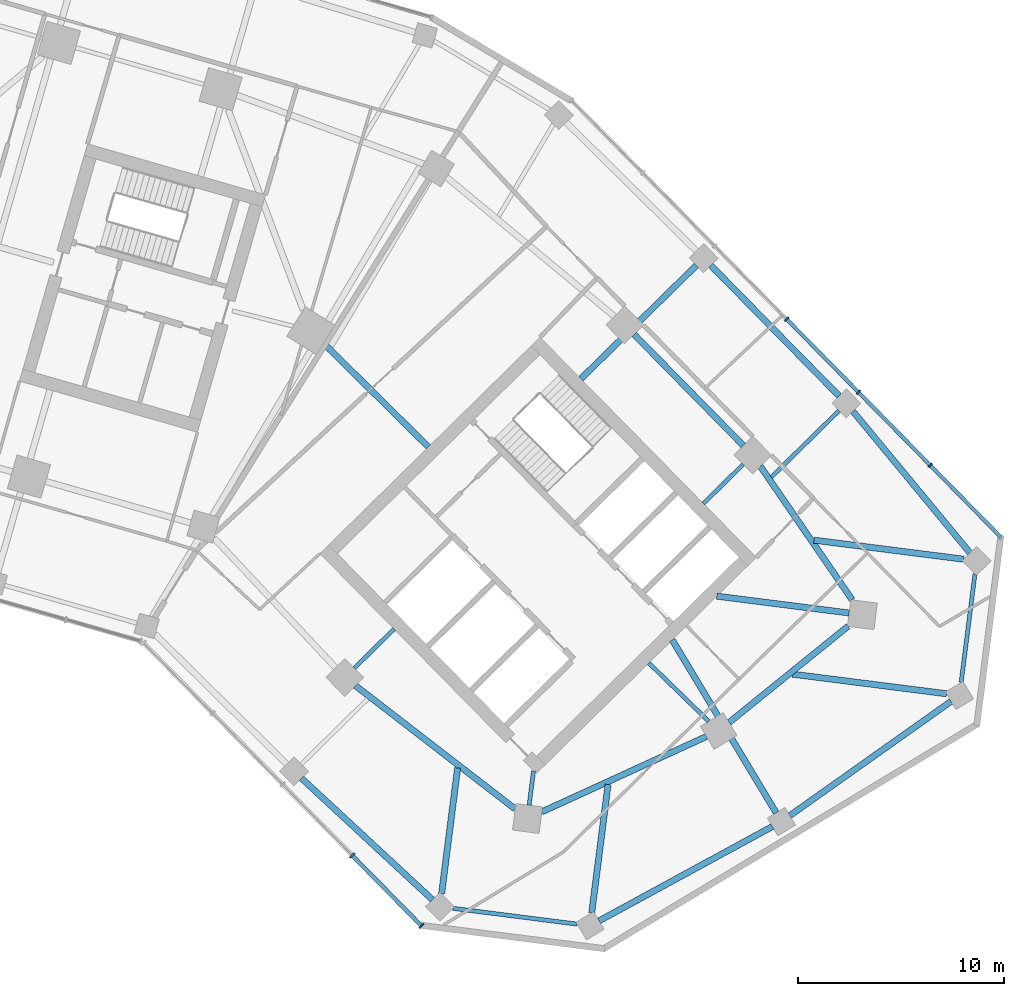
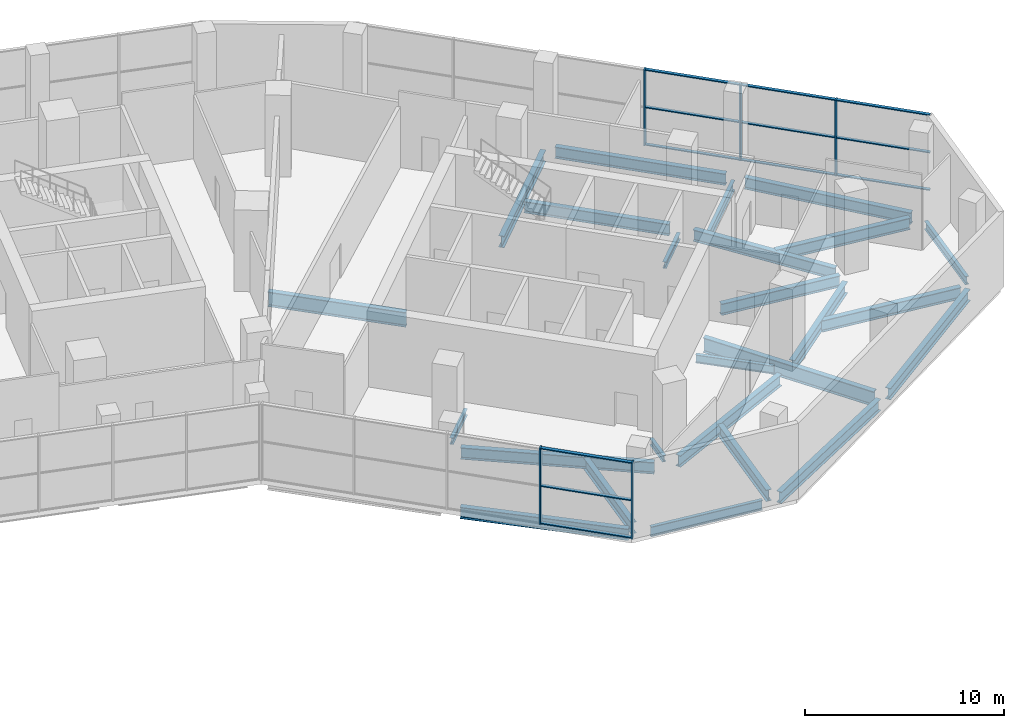
# One storey, part 6 of 18: 25 beams, 17 members, 2 elements without a shape of their own.
"""IFC4 building model written with IfcOpenShell, lengths in metres."""

from ifc_helpers import new_model, si_unit, direction, frame, origin, origin_2d, place, context, subcontext, project, spatial, rectangle, i_section, extrude, material, material_profile, profile_set, type_object, element, aggregate, save


model = new_model("IFC4")

# Units and contexts
model_context = context("Model", 3, precision=1e-05, world=origin(), true_north=direction((0.0, 1.0)))
body_context = subcontext(model_context, "Body", "Model", "MODEL_VIEW")
ifc_project = project(units=[si_unit("LENGTHUNIT", "METRE"), si_unit("AREAUNIT", "SQUARE_METRE"), si_unit("VOLUMEUNIT", "CUBIC_METRE"), si_unit("PLANEANGLEUNIT", "RADIAN"), si_unit("MASSUNIT", "GRAM", prefix="KILO")], contexts=[model_context])

# Site, building, storey
site_placement = place(None, origin())
site = spatial("IfcSite", under=ifc_project, at=site_placement, CompositionType="ELEMENT")
building_placement = place(site_placement, origin())
building = spatial("IfcBuilding", under=site, at=building_placement, Name="Binnacle Exchange Tower", CompositionType="ELEMENT")
storey_placement = place(building_placement, frame((0.0, 0.0, 6.5)))
storey = spatial("IfcBuildingStorey", under=building, at=storey_placement, Name="L01", CompositionType="ELEMENT", Elevation=6.5)

# Curtain wall, members
ifc_material_1 = material(Name="Bronze anodised aluminium frame", Category="aluminium")
curtain_wall_type_1 = type_object("IfcCurtainWallType", Name="External wall - curtain wall waterfront lobby", PredefinedType="NOTDEFINED", material=ifc_material_1)
curtain_wall_1_placement = place(storey_placement, origin())
curtain_wall_1 = element("IfcCurtainWall", 1, at=curtain_wall_1_placement, inside=storey, type_object=curtain_wall_type_1, Name="External wall curtain wall CW1-P08 L01", PredefinedType="NOTDEFINED")
ifc_material_profile_1 = material_profile(ifc_material_1, rectangle(XDim=0.300048828125, YDim=0.080078125, at=origin_2d()), Name="AL 80x300")
ifc_profile_set_1 = profile_set([ifc_material_profile_1], Name="Bronze anodised aluminium frame")
member_type_1 = type_object("IfcMemberType", Name="CW1 MULLION 80x300", PredefinedType="MULLION", material=ifc_profile_set_1)
member_1_placement = place(storey_placement, frame((33.002685546875, 25.872802734375, 0.0), z_axis=(0.0, 0.0, 1.0), x_axis=(0.71325036061, 0.700909354403, 0.0)))
member_1 = element("IfcMember", 2, at=member_1_placement, type_object=member_type_1, Name="CW1-P08 mullion 4", PredefinedType="MULLION", context=body_context, shape_type="SweptSolid", body=[
    extrude(rectangle(XDim=0.300048828125, YDim=0.080078125, at=origin_2d()), origin(), (0.0, 0.0, 1.0), 4.64990234375),
])
member_2_placement = place(storey_placement, frame((36.370361328125, 22.44580078125, 0.0), z_axis=(0.0, 0.0, 1.0), x_axis=(0.71325036061, 0.700909354403, 0.0)))
member_2 = element("IfcMember", 3, at=member_2_placement, type_object=member_type_1, Name="CW1-P08 mullion 5", PredefinedType="MULLION", context=body_context, shape_type="SweptSolid", body=[
    extrude(rectangle(XDim=0.300048828125, YDim=0.080078125, at=origin_2d()), origin(), (0.0, 0.0, 1.0), 4.64990234375),
])
ifc_material_profile_2 = material_profile(ifc_material_1, rectangle(XDim=0.199951171875, YDim=0.06005859375, at=origin_2d()), Name="AL 200x60")
ifc_profile_set_2 = profile_set([ifc_material_profile_2], Name="Bronze anodised aluminium frame")
member_type_2 = type_object("IfcMemberType", Name="CW1 TRANSOM 60x200", PredefinedType="USERDEFINED", material=ifc_profile_set_2)
member_3_placement = place(storey_placement, frame((33.03076171875, 25.84423828125, 0.030029296875), z_axis=(0.700931073627, -0.713229016533, 0.0), x_axis=(0.713229016533, 0.700931073627, 0.0)))
member_3 = element("IfcMember", 4, at=member_3_placement, type_object=member_type_2, Name="CW1-P08 transom 4.1", ObjectType="TRANSOM", PredefinedType="USERDEFINED", context=body_context, shape_type="SweptSolid", body=[
    extrude(rectangle(XDim=0.199951171875, YDim=0.06005859375, at=origin_2d()), origin(), (0.0, 0.0, 1.0), 4.724853515625),
])
member_4_placement = place(storey_placement, frame((33.03076171875, 25.84423828125, 2.324951171875), z_axis=(0.700931073627, -0.713229016533, 0.0), x_axis=(0.713229016533, 0.700931073627, 0.0)))
member_4 = element("IfcMember", 5, at=member_4_placement, type_object=member_type_2, Name="CW1-P08 transom 4.2", ObjectType="TRANSOM", PredefinedType="USERDEFINED", context=body_context, shape_type="SweptSolid", body=[
    extrude(rectangle(XDim=0.199951171875, YDim=0.06005859375, at=origin_2d()), origin(), (0.0, 0.0, 1.0), 4.724853515625),
])
member_5_placement = place(storey_placement, frame((33.03076171875, 25.84423828125, 4.6201171875), z_axis=(0.700931073627, -0.713229016533, 0.0), x_axis=(0.713229016533, 0.700931073627, 0.0)))
member_5 = element("IfcMember", 6, at=member_5_placement, type_object=member_type_2, Name="CW1-P08 transom 4.3", ObjectType="TRANSOM", PredefinedType="USERDEFINED", context=body_context, shape_type="SweptSolid", body=[
    extrude(rectangle(XDim=0.199951171875, YDim=0.06005859375, at=origin_2d()), origin(), (0.0, 0.0, 1.0), 4.724853515625),
])
aggregate(curtain_wall_1, [member_1, member_2, member_3, member_4, member_5])

curtain_wall_type_2 = type_object("IfcCurtainWallType", Name="External wall - curtain wall north entrance", PredefinedType="NOTDEFINED", material=ifc_material_1)
curtain_wall_2_placement = place(storey_placement, origin())
curtain_wall_2 = element("IfcCurtainWall", 7, at=curtain_wall_2_placement, inside=storey, type_object=curtain_wall_type_2, Name="External wall curtain wall CW2-P12 L01", PredefinedType="NOTDEFINED")
ifc_material_profile_3 = material_profile(ifc_material_1, rectangle(XDim=0.25, YDim=0.080078125, at=origin_2d()), Name="AL 80x250")
ifc_profile_set_3 = profile_set([ifc_material_profile_3], Name="Bronze anodised aluminium frame")
member_type_3 = type_object("IfcMemberType", Name="CW2 MULLION 80x250", PredefinedType="MULLION", material=ifc_profile_set_3)
member_6_placement = place(storey_placement, frame((61.101318359375, 44.841796875, 0.0), z_axis=(0.0, 0.0, 1.0), x_axis=(-0.713250360623, -0.70090935439, 0.0)))
member_6 = element("IfcMember", 8, at=member_6_placement, type_object=member_type_3, Name="CW2-P12 mullion 2", PredefinedType="MULLION", context=body_context, shape_type="SweptSolid", body=[
    extrude(rectangle(XDim=0.25, YDim=0.080078125, at=origin_2d()), origin(), (0.0, 0.0, 1.0), 4.64990234375),
])
member_7_placement = place(storey_placement, frame((57.609130859375, 48.3955078125, 0.0), z_axis=(0.0, 0.0, 1.0), x_axis=(-0.713250360623, -0.70090935439, 0.0)))
member_7 = element("IfcMember", 9, at=member_7_placement, type_object=member_type_3, Name="CW2-P12 mullion 3", PredefinedType="MULLION", context=body_context, shape_type="SweptSolid", body=[
    extrude(rectangle(XDim=0.25, YDim=0.080078125, at=origin_2d()), origin(), (0.0, 0.0, 1.0), 4.64990234375),
])
member_8_placement = place(storey_placement, frame((54.11669921875, 51.949462890625, 0.0), z_axis=(0.0, 0.0, 1.0), x_axis=(-0.713250360623, -0.70090935439, 0.0)))
member_8 = element("IfcMember", 10, at=member_8_placement, type_object=member_type_3, Name="CW2-P12 mullion 4", PredefinedType="MULLION", context=body_context, shape_type="SweptSolid", body=[
    extrude(rectangle(XDim=0.25, YDim=0.080078125, at=origin_2d()), origin(), (0.0, 0.0, 1.0), 4.64990234375),
])
ifc_material_profile_4 = material_profile(ifc_material_1, rectangle(XDim=0.179931640625, YDim=0.06005859375, at=origin_2d()), Name="AL 180x60")
ifc_profile_set_4 = profile_set([ifc_material_profile_4], Name="Bronze anodised aluminium frame")
member_type_4 = type_object("IfcMemberType", Name="CW2 TRANSOM 60x180", PredefinedType="USERDEFINED", material=ifc_profile_set_4)
member_9_placement = place(storey_placement, frame((64.53759765625, 41.344970703125, 0.030029296875), z_axis=(-0.700904224311, 0.713255401903, 0.0), x_axis=(-0.713255401903, -0.700904224311, 0.0)))
member_9 = element("IfcMember", 11, at=member_9_placement, type_object=member_type_4, Name="CW2-P12 transom 1.1", ObjectType="TRANSOM", PredefinedType="USERDEFINED", context=body_context, shape_type="SweptSolid", body=[
    extrude(rectangle(XDim=0.179931640625, YDim=0.06005859375, at=origin_2d()), origin(), (0.0, 0.0, 1.0), 4.862548828125),
])
member_10_placement = place(storey_placement, frame((64.53759765625, 41.344970703125, 2.324951171875), z_axis=(-0.700904224311, 0.713255401903, 0.0), x_axis=(-0.713255401903, -0.700904224311, 0.0)))
member_10 = element("IfcMember", 12, at=member_10_placement, type_object=member_type_4, Name="CW2-P12 transom 1.2", ObjectType="TRANSOM", PredefinedType="USERDEFINED", context=body_context, shape_type="SweptSolid", body=[
    extrude(rectangle(XDim=0.179931640625, YDim=0.06005859375, at=origin_2d()), origin(), (0.0, 0.0, 1.0), 4.862548828125),
])
member_11_placement = place(storey_placement, frame((64.53759765625, 41.344970703125, 4.6201171875), z_axis=(-0.700904224311, 0.713255401903, 0.0), x_axis=(-0.713255401903, -0.700904224311, 0.0)))
member_11 = element("IfcMember", 13, at=member_11_placement, type_object=member_type_4, Name="CW2-P12 transom 1.3", ObjectType="TRANSOM", PredefinedType="USERDEFINED", context=body_context, shape_type="SweptSolid", body=[
    extrude(rectangle(XDim=0.179931640625, YDim=0.06005859375, at=origin_2d()), origin(), (0.0, 0.0, 1.0), 4.862548828125),
])
member_12_placement = place(storey_placement, frame((61.0732421875, 44.870361328125, 0.030029296875), z_axis=(-0.700904445458, 0.713255184585, 0.0), x_axis=(-0.713255184585, -0.700904445458, 0.0)))
member_12 = element("IfcMember", 14, at=member_12_placement, type_object=member_type_4, Name="CW2-P12 transom 2.1", ObjectType="TRANSOM", PredefinedType="USERDEFINED", context=body_context, shape_type="SweptSolid", body=[
    extrude(rectangle(XDim=0.179931640625, YDim=0.06005859375, at=origin_2d()), origin(), (0.0, 0.0, 1.0), 4.90234375),
])
member_13_placement = place(storey_placement, frame((61.0732421875, 44.870361328125, 2.324951171875), z_axis=(-0.700904445458, 0.713255184585, 0.0), x_axis=(-0.713255184585, -0.700904445458, 0.0)))
member_13 = element("IfcMember", 15, at=member_13_placement, type_object=member_type_4, Name="CW2-P12 transom 2.2", ObjectType="TRANSOM", PredefinedType="USERDEFINED", context=body_context, shape_type="SweptSolid", body=[
    extrude(rectangle(XDim=0.179931640625, YDim=0.06005859375, at=origin_2d()), origin(), (0.0, 0.0, 1.0), 4.90234375),
])
member_14_placement = place(storey_placement, frame((61.0732421875, 44.870361328125, 4.6201171875), z_axis=(-0.700904445458, 0.713255184585, 0.0), x_axis=(-0.713255184585, -0.700904445458, 0.0)))
member_14 = element("IfcMember", 16, at=member_14_placement, type_object=member_type_4, Name="CW2-P12 transom 2.3", ObjectType="TRANSOM", PredefinedType="USERDEFINED", context=body_context, shape_type="SweptSolid", body=[
    extrude(rectangle(XDim=0.179931640625, YDim=0.06005859375, at=origin_2d()), origin(), (0.0, 0.0, 1.0), 4.90234375),
])
member_15_placement = place(storey_placement, frame((57.5810546875, 48.424072265625, 0.030029296875), z_axis=(-0.700904884139, 0.7132547535, 0.0), x_axis=(-0.7132547535, -0.700904884139, 0.0)))
member_15 = element("IfcMember", 17, at=member_15_placement, type_object=member_type_4, Name="CW2-P12 transom 3.1", ObjectType="TRANSOM", PredefinedType="USERDEFINED", context=body_context, shape_type="SweptSolid", body=[
    extrude(rectangle(XDim=0.179931640625, YDim=0.06005859375, at=origin_2d()), origin(), (0.0, 0.0, 1.0), 4.902587890625),
])
member_16_placement = place(storey_placement, frame((57.5810546875, 48.424072265625, 2.324951171875), z_axis=(-0.700904884139, 0.7132547535, 0.0), x_axis=(-0.7132547535, -0.700904884139, 0.0)))
member_16 = element("IfcMember", 18, at=member_16_placement, type_object=member_type_4, Name="CW2-P12 transom 3.2", ObjectType="TRANSOM", PredefinedType="USERDEFINED", context=body_context, shape_type="SweptSolid", body=[
    extrude(rectangle(XDim=0.179931640625, YDim=0.06005859375, at=origin_2d()), origin(), (0.0, 0.0, 1.0), 4.902587890625),
])
member_17_placement = place(storey_placement, frame((57.5810546875, 48.424072265625, 4.6201171875), z_axis=(-0.700904884139, 0.7132547535, 0.0), x_axis=(-0.7132547535, -0.700904884139, 0.0)))
member_17 = element("IfcMember", 19, at=member_17_placement, type_object=member_type_4, Name="CW2-P12 transom 3.3", ObjectType="TRANSOM", PredefinedType="USERDEFINED", context=body_context, shape_type="SweptSolid", body=[
    extrude(rectangle(XDim=0.179931640625, YDim=0.06005859375, at=origin_2d()), origin(), (0.0, 0.0, 1.0), 4.902587890625),
])
aggregate(curtain_wall_2, [member_6, member_7, member_8, member_9, member_10, member_11, member_12, member_13, member_14, member_15, member_16, member_17])

# Beams
ifc_material_2 = material(Name="Steel S355 (SHN355)", Category="steel")
ifc_material_profile_5 = material_profile(ifc_material_2, i_section(OverallWidth=0.200927734375, OverallDepth=0.506103515625, WebThickness=0.010986328125, FlangeThickness=0.01904296875, FilletRadius=0.02001953125, at=origin_2d()), Name="H 506x201x11x19")
ifc_profile_set_5 = profile_set([ifc_material_profile_5], Name="Steel S355 (SHN355)")
beam_type_1 = type_object("IfcBeamType", Name="Edge girder H 506x201x11x19 Steel S355 (SHN355)", PredefinedType="SPANDREL", material=ifc_profile_set_5)
beam_1_placement = place(storey_placement, frame((63.271728515625, 39.56591796875, -0.60302734375), z_axis=(-0.126220609822, -0.992002196397, 0.0), x_axis=(0.992002196397, -0.126220609822, 0.0)))
element("IfcBeam", 20, at=beam_1_placement, inside=storey, type_object=beam_type_1, Name="S:BM:edge:L01:075", PredefinedType="SPANDREL", context=body_context, shape_type="SweptSolid", body=[
    extrude(i_section(OverallWidth=0.200927734375, OverallDepth=0.506103515625, WebThickness=0.010986328125, FlangeThickness=0.01904296875, FilletRadius=0.02001953125, at=origin_2d()), origin(), (0.0, 0.0, 1.0), 5.319091796875),
])
ifc_material_profile_6 = material_profile(ifc_material_2, i_section(OverallWidth=0.200927734375, OverallDepth=0.60595703125, WebThickness=0.011962890625, FlangeThickness=0.02001953125, FilletRadius=0.02197265625, at=origin_2d()), Name="H 606x201x12x20")
ifc_profile_set_6 = profile_set([ifc_material_profile_6], Name="Steel S355 (SHN355)")
beam_type_2 = type_object("IfcBeamType", Name="Edge girder H 606x201x12x20 Steel S355 (SHN355)", PredefinedType="SPANDREL", material=ifc_profile_set_6)
beam_2_placement = place(storey_placement, frame((43.931884765625, 22.540283203125, -0.653076171875), z_axis=(-0.992003760978, 0.126208312743, 0.0), x_axis=(-0.126208312743, -0.992003760978, 0.0)))
element("IfcBeam", 21, at=beam_2_placement, inside=storey, type_object=beam_type_2, Name="S:BM:edge:L01:066", PredefinedType="SPANDREL", context=body_context, shape_type="SweptSolid", body=[
    extrude(i_section(OverallWidth=0.200927734375, OverallDepth=0.60595703125, WebThickness=0.011962890625, FlangeThickness=0.02001953125, FilletRadius=0.02197265625, at=origin_2d()), origin(), (0.0, 0.0, 1.0), 6.081787109375),
])
ifc_material_profile_7 = material_profile(ifc_material_2, i_section(OverallWidth=0.300048828125, OverallDepth=0.699951171875, WebThickness=0.012939453125, FlangeThickness=0.02392578125, FilletRadius=0.028076171875, at=origin_2d()), Name="H 700x300x13x24")
ifc_profile_set_7 = profile_set([ifc_material_profile_7], Name="Steel S355 (SHN355)")
beam_type_3 = type_object("IfcBeamType", Name="Edge girder H 700x300x13x24 Steel S355 (SHN355)", PredefinedType="SPANDREL", material=ifc_profile_set_7)
beam_3_placement = place(storey_placement, frame((36.89990234375, 23.728515625, -0.699951171875), z_axis=(-0.733314595009, 0.679889479803, 0.0), x_axis=(-0.679889479803, -0.733314595009, 0.0)))
element("IfcBeam", 22, at=beam_3_placement, inside=storey, type_object=beam_type_3, Name="S:BM:edge:L01:062", PredefinedType="SPANDREL", context=body_context, shape_type="SweptSolid", body=[
    extrude(i_section(OverallWidth=0.300048828125, OverallDepth=0.699951171875, WebThickness=0.012939453125, FlangeThickness=0.02392578125, FilletRadius=0.028076171875, at=origin_2d()), origin(), (0.0, 0.0, 1.0), 8.67333984375),
])
beam_4_placement = place(storey_placement, frame((42.215576171875, 27.99365234375, -0.699951171875), z_axis=(0.909179052108, 0.416405392866, 0.0), x_axis=(-0.416405392866, 0.909179052108, 0.0)))
element("IfcBeam", 23, at=beam_4_placement, inside=storey, type_object=beam_type_3, Name="S:BM:edge:L01:064", PredefinedType="SPANDREL", context=body_context, shape_type="SweptSolid", body=[
    extrude(i_section(OverallWidth=0.300048828125, OverallDepth=0.699951171875, WebThickness=0.012939453125, FlangeThickness=0.02392578125, FilletRadius=0.028076171875, at=origin_2d()), origin(), (0.0, 0.0, 1.0), 8.801025390625),
])
beam_5_placement = place(storey_placement, frame((50.436279296875, 54.553466796875, -0.699951171875), z_axis=(0.700891088092, -0.713268310408, 0.0), x_axis=(0.713268310408, 0.700891088092, 0.0)))
element("IfcBeam", 24, at=beam_5_placement, inside=storey, type_object=beam_type_3, Name="S:BM:edge:L01:068", PredefinedType="SPANDREL", context=body_context, shape_type="SweptSolid", body=[
    extrude(i_section(OverallWidth=0.300048828125, OverallDepth=0.699951171875, WebThickness=0.012939453125, FlangeThickness=0.02392578125, FilletRadius=0.028076171875, at=origin_2d()), origin(), (0.0, 0.0, 1.0), 8.89599609375),
])
beam_6_placement = place(storey_placement, frame((52.010986328125, 45.802978515625, -0.699951171875), z_axis=(-0.700905226564, 0.713254417004, 0.0), x_axis=(-0.713254417004, -0.700905226564, 0.0)))
element("IfcBeam", 25, at=beam_6_placement, inside=storey, type_object=beam_type_3, Name="S:BM:edge:L01:070", PredefinedType="SPANDREL", context=body_context, shape_type="SweptSolid", body=[
    extrude(i_section(OverallWidth=0.300048828125, OverallDepth=0.699951171875, WebThickness=0.012939453125, FlangeThickness=0.02392578125, FilletRadius=0.028076171875, at=origin_2d()), origin(), (0.0, 0.0, 1.0), 7.57177734375),
])
beam_7_placement = place(storey_placement, frame((53.42431640625, 27.28369140625, -0.699951171875), z_axis=(-0.878284521439, -0.478138368468, 0.0), x_axis=(0.478138368468, -0.878284521439, 0.0)))
element("IfcBeam", 26, at=beam_7_placement, inside=storey, type_object=beam_type_3, Name="S:BM:edge:L01:071", PredefinedType="SPANDREL", context=body_context, shape_type="SweptSolid", body=[
    extrude(i_section(OverallWidth=0.300048828125, OverallDepth=0.699951171875, WebThickness=0.012939453125, FlangeThickness=0.02392578125, FilletRadius=0.028076171875, at=origin_2d()), origin(), (0.0, 0.0, 1.0), 9.588134765625),
])
beam_8_placement = place(storey_placement, frame((57.341796875, 47.46484375, -0.699951171875), z_axis=(0.63729683622, -0.770618415653, 0.0), x_axis=(0.770618415653, 0.63729683622, 0.0)))
element("IfcBeam", 27, at=beam_8_placement, inside=storey, type_object=beam_type_3, Name="S:BM:edge:L01:073", PredefinedType="SPANDREL", context=body_context, shape_type="SweptSolid", body=[
    extrude(i_section(OverallWidth=0.300048828125, OverallDepth=0.699951171875, WebThickness=0.012939453125, FlangeThickness=0.02392578125, FilletRadius=0.028076171875, at=origin_2d()), origin(), (0.0, 0.0, 1.0), 8.928955078125),
])
beam_9_placement = place(storey_placement, frame((62.111083984375, 33.36767578125, -0.699951171875), z_axis=(-0.815901600123, -0.578190780726, 0.0), x_axis=(0.578190780726, -0.815901600123, 0.0)))
element("IfcBeam", 28, at=beam_9_placement, inside=storey, type_object=beam_type_3, Name="S:BM:edge:L01:074", PredefinedType="SPANDREL", context=body_context, shape_type="SweptSolid", body=[
    extrude(i_section(OverallWidth=0.300048828125, OverallDepth=0.699951171875, WebThickness=0.012939453125, FlangeThickness=0.02392578125, FilletRadius=0.028076171875, at=origin_2d()), origin(), (0.0, 0.0, 1.0), 9.60693359375),
])
ifc_material_profile_8 = material_profile(ifc_material_2, i_section(OverallWidth=0.302001953125, OverallDepth=0.7080078125, WebThickness=0.014892578125, FlangeThickness=0.028076171875, FilletRadius=0.028076171875, at=origin_2d()), Name="H 708x302x15x28")
ifc_profile_set_8 = profile_set([ifc_material_profile_8], Name="Steel S355 (SHN355)")
beam_type_4 = type_object("IfcBeamType", Name="Edge girder H 708x302x15x28 Steel S355 (SHN355)", PredefinedType="SPANDREL", material=ifc_profile_set_8)
beam_10_placement = place(storey_placement, frame((33.160400390625, 34.12890625, -0.7041015625), z_axis=(0.791533490776, -0.611125791454, 0.0), x_axis=(0.611125791454, 0.791533490776, 0.0)))
element("IfcBeam", 29, at=beam_10_placement, inside=storey, type_object=beam_type_4, Name="S:BM:edge:L01:060", PredefinedType="SPANDREL", context=body_context, shape_type="SweptSolid", body=[
    extrude(i_section(OverallWidth=0.302001953125, OverallDepth=0.7080078125, WebThickness=0.014892578125, FlangeThickness=0.028076171875, FilletRadius=0.028076171875, at=origin_2d()), origin(), (0.0, 0.0, 1.0), 9.80712890625),
])
beam_11_placement = place(storey_placement, frame((51.322265625, 32.343505859375, -0.7041015625), z_axis=(0.777568489665, 0.628798253719, 0.0), x_axis=(-0.628798253719, 0.777568489665, 0.0)))
element("IfcBeam", 30, at=beam_11_placement, inside=storey, type_object=beam_type_4, Name="S:BM:edge:L01:069", PredefinedType="SPANDREL", context=body_context, shape_type="SweptSolid", body=[
    extrude(i_section(OverallWidth=0.302001953125, OverallDepth=0.7080078125, WebThickness=0.014892578125, FlangeThickness=0.028076171875, FilletRadius=0.028076171875, at=origin_2d()), origin(), (0.0, 0.0, 1.0), 7.428955078125),
])
beam_12_placement = place(storey_placement, frame((57.305419921875, 38.299072265625, -0.7041015625), z_axis=(-0.566409202341, 0.82412415054, 0.0), x_axis=(-0.82412415054, -0.566409202341, 0.0)))
element("IfcBeam", 31, at=beam_12_placement, inside=storey, type_object=beam_type_4, Name="S:BM:edge:L01:072", PredefinedType="SPANDREL", context=body_context, shape_type="SweptSolid", body=[
    extrude(i_section(OverallWidth=0.302001953125, OverallDepth=0.7080078125, WebThickness=0.014892578125, FlangeThickness=0.028076171875, FilletRadius=0.028076171875, at=origin_2d()), origin(), (0.0, 0.0, 1.0), 7.8828125),
])
ifc_material_profile_9 = material_profile(ifc_material_2, i_section(OverallWidth=0.199951171875, OverallDepth=0.39990234375, WebThickness=0.008056640625, FlangeThickness=0.012939453125, FilletRadius=0.01611328125, at=origin_2d()), Name="H 400x200x8x13")
ifc_profile_set_9 = profile_set([ifc_material_profile_9], Name="Steel S355 (SHN355)")
beam_type_5 = type_object("IfcBeamType", Name="Floor beam H 400x200x8x13 Steel S355 (SHN355)", PredefinedType="BEAM", material=ifc_profile_set_9)
beam_13_placement = place(storey_placement, frame((33.104736328125, 34.985595703125, -0.550048828125), z_axis=(0.713254209224, 0.700905438004, 0.0), x_axis=(-0.700905438004, 0.713254209224, 0.0)))
element("IfcBeam", 32, at=beam_13_placement, inside=storey, type_object=beam_type_5, Name="S:BM:cross:L01:114", PredefinedType="BEAM", context=body_context, shape_type="SweptSolid", body=[
    extrude(i_section(OverallWidth=0.199951171875, OverallDepth=0.39990234375, WebThickness=0.008056640625, FlangeThickness=0.012939453125, FilletRadius=0.01611328125, at=origin_2d()), origin(), (0.0, 0.0, 1.0), 2.70849609375),
])
beam_14_placement = place(storey_placement, frame((41.601806640625, 28.319580078125, -0.550048828125), z_axis=(0.126197116971, 0.992005185303, 0.0), x_axis=(-0.992005185303, 0.126197116971, 0.0)))
element("IfcBeam", 33, at=beam_14_placement, inside=storey, type_object=beam_type_5, Name="S:BM:cross:L01:118", PredefinedType="BEAM", context=body_context, shape_type="SweptSolid", body=[
    extrude(i_section(OverallWidth=0.199951171875, OverallDepth=0.39990234375, WebThickness=0.008056640625, FlangeThickness=0.012939453125, FilletRadius=0.01611328125, at=origin_2d()), origin(), (0.0, 0.0, 1.0), 1.68115234375),
])
beam_15_placement = place(storey_placement, frame((52.003173828125, 44.8837890625, -0.550048828125), z_axis=(-0.713254209224, -0.700905438004, 0.0), x_axis=(0.700905438004, -0.713254209224, 0.0)))
element("IfcBeam", 34, at=beam_15_placement, inside=storey, type_object=beam_type_5, Name="S:BM:cross:L01:122", PredefinedType="BEAM", context=body_context, shape_type="SweptSolid", body=[
    extrude(i_section(OverallWidth=0.199951171875, OverallDepth=0.39990234375, WebThickness=0.008056640625, FlangeThickness=0.012939453125, FilletRadius=0.01611328125, at=origin_2d()), origin(), (0.0, 0.0, 1.0), 2.70849609375),
])
ifc_material_profile_10 = material_profile(ifc_material_2, i_section(OverallWidth=0.199951171875, OverallDepth=0.60009765625, WebThickness=0.010986328125, FlangeThickness=0.01708984375, FilletRadius=0.02197265625, at=origin_2d()), Name="H 600x200x11x17")
ifc_profile_set_10 = profile_set([ifc_material_profile_10], Name="Steel S355 (SHN355)")
beam_type_6 = type_object("IfcBeamType", Name="Floor beam H 600x200x11x17 Steel S355 (SHN355)", PredefinedType="BEAM", material=ifc_profile_set_10)
beam_16_placement = place(storey_placement, frame((56.665283203125, 47.501220703125, -0.64990234375), z_axis=(-0.713253693622, -0.70090596269, 0.0), x_axis=(0.70090596269, -0.713253693622, 0.0)))
element("IfcBeam", 35, at=beam_16_placement, inside=storey, type_object=beam_type_6, Name="S:BM:cross:L01:124", PredefinedType="BEAM", context=body_context, shape_type="SweptSolid", body=[
    extrude(i_section(OverallWidth=0.199951171875, OverallDepth=0.60009765625, WebThickness=0.010986328125, FlangeThickness=0.01708984375, FilletRadius=0.02197265625, at=origin_2d()), origin(), (0.0, 0.0, 1.0), 4.60693359375),
])
ifc_material_profile_11 = material_profile(ifc_material_2, i_section(OverallWidth=0.300048828125, OverallDepth=0.699951171875, WebThickness=0.012939453125, FlangeThickness=0.02392578125, FilletRadius=0.028076171875, at=origin_2d()), Name="H 700x300x13x24")
ifc_profile_set_11 = profile_set([ifc_material_profile_11], Name="Steel S355 (SHN355)")
beam_type_7 = type_object("IfcBeamType", Name="Floor beam H 700x300x13x24 Steel S355 (SHN355)", PredefinedType="BEAM", material=ifc_profile_set_11)
beam_17_placement = place(storey_placement, frame((37.347412109375, 24.019775390625, -0.699951171875), z_axis=(0.126189771205, 0.992006119761, 0.0), x_axis=(-0.992006119761, 0.126189771205, 0.0)))
element("IfcBeam", 36, at=beam_17_placement, inside=storey, type_object=beam_type_7, Name="S:BM:cross:L01:117", PredefinedType="BEAM", context=body_context, shape_type="SweptSolid", body=[
    extrude(i_section(OverallWidth=0.300048828125, OverallDepth=0.699951171875, WebThickness=0.012939453125, FlangeThickness=0.02392578125, FilletRadius=0.028076171875, at=origin_2d()), origin(), (0.0, 0.0, 1.0), 6.162109375),
])
beam_18_placement = place(storey_placement, frame((44.643798828125, 23.091552734375, -0.699951171875), z_axis=(0.126227881038, 0.992001271193, 0.0), x_axis=(-0.992001271193, 0.126227881038, 0.0)))
element("IfcBeam", 37, at=beam_18_placement, inside=storey, type_object=beam_type_7, Name="S:BM:cross:L01:120", PredefinedType="BEAM", context=body_context, shape_type="SweptSolid", body=[
    extrude(i_section(OverallWidth=0.300048828125, OverallDepth=0.699951171875, WebThickness=0.012939453125, FlangeThickness=0.02392578125, FilletRadius=0.028076171875, at=origin_2d()), origin(), (0.0, 0.0, 1.0), 6.287841796875),
])
beam_19_placement = place(storey_placement, frame((57.154296875, 37.6630859375, -0.699951171875), z_axis=(-0.992006658356, 0.126185537116, 0.0), x_axis=(-0.126185537116, -0.992006658356, 0.0)))
element("IfcBeam", 38, at=beam_19_placement, inside=storey, type_object=beam_type_7, Name="S:BM:cross:L01:125", PredefinedType="BEAM", context=body_context, shape_type="SweptSolid", body=[
    extrude(i_section(OverallWidth=0.300048828125, OverallDepth=0.699951171875, WebThickness=0.012939453125, FlangeThickness=0.02392578125, FilletRadius=0.028076171875, at=origin_2d()), origin(), (0.0, 0.0, 1.0), 6.4814453125),
])
ifc_material_profile_12 = material_profile(ifc_material_2, i_section(OverallWidth=0.302001953125, OverallDepth=0.7080078125, WebThickness=0.014892578125, FlangeThickness=0.028076171875, FilletRadius=0.028076171875, at=origin_2d()), Name="H 708x302x15x28")
ifc_profile_set_12 = profile_set([ifc_material_profile_12], Name="Steel S355 (SHN355)")
beam_type_8 = type_object("IfcBeamType", Name="Floor beam H 708x302x15x28 Steel S355 (SHN355)", PredefinedType="BEAM", material=ifc_profile_set_12)
beam_20_placement = place(storey_placement, frame((49.72900390625, 54.5595703125, -0.7041015625), z_axis=(-0.713254513072, -0.700905128803, 0.0), x_axis=(0.700905128803, -0.713254513072, 0.0)))
element("IfcBeam", 39, at=beam_20_placement, inside=storey, type_object=beam_type_8, Name="S:BM:cross:L01:121", PredefinedType="BEAM", context=body_context, shape_type="SweptSolid", body=[
    extrude(i_section(OverallWidth=0.302001953125, OverallDepth=0.7080078125, WebThickness=0.014892578125, FlangeThickness=0.028076171875, FilletRadius=0.028076171875, at=origin_2d()), origin(), (0.0, 0.0, 1.0), 7.8681640625),
])
beam_21_placement = place(storey_placement, frame((61.888427734375, 33.73779296875, -0.7041015625), z_axis=(-0.992002917096, 0.12621494552, 0.0), x_axis=(-0.12621494552, -0.992002917096, 0.0)))
element("IfcBeam", 40, at=beam_21_placement, inside=storey, type_object=beam_type_8, Name="S:BM:cross:L01:126", PredefinedType="BEAM", context=body_context, shape_type="SweptSolid", body=[
    extrude(i_section(OverallWidth=0.302001953125, OverallDepth=0.7080078125, WebThickness=0.014892578125, FlangeThickness=0.028076171875, FilletRadius=0.028076171875, at=origin_2d()), origin(), (0.0, 0.0, 1.0), 7.551513671875),
])
beam_22_placement = place(storey_placement, frame((62.720458984375, 40.277587890625, -0.7041015625), z_axis=(-0.992000413131, 0.126234624202, 0.0), x_axis=(-0.126234624202, -0.992000413131, 0.0)))
element("IfcBeam", 41, at=beam_22_placement, inside=storey, type_object=beam_type_8, Name="S:BM:cross:L01:127", PredefinedType="BEAM", context=body_context, shape_type="SweptSolid", body=[
    extrude(i_section(OverallWidth=0.302001953125, OverallDepth=0.7080078125, WebThickness=0.014892578125, FlangeThickness=0.028076171875, FilletRadius=0.028076171875, at=origin_2d()), origin(), (0.0, 0.0, 1.0), 7.333740234375),
])
ifc_material_profile_13 = material_profile(ifc_material_2, i_section(OverallWidth=0.302001953125, OverallDepth=0.912109375, WebThickness=0.01806640625, FlangeThickness=0.033935546875, FilletRadius=0.028076171875, at=origin_2d()), Name="H 912x302x18x34")
ifc_profile_set_13 = profile_set([ifc_material_profile_13], Name="Steel S355 (SHN355)")
beam_type_9 = type_object("IfcBeamType", Name="Floor beam H 912x302x18x34 Steel S355 (SHN355)", PredefinedType="BEAM", material=ifc_profile_set_13)
beam_23_placement = place(storey_placement, frame((53.606201171875, 27.95166015625, -0.805908203125), z_axis=(-0.515037836235, 0.857167444112, 0.0), x_axis=(-0.857167444112, -0.515037836235, 0.0)))
element("IfcBeam", 42, at=beam_23_placement, inside=storey, type_object=beam_type_9, Name="S:BM:cross:L01:123", PredefinedType="BEAM", context=body_context, shape_type="SweptSolid", body=[
    extrude(i_section(OverallWidth=0.302001953125, OverallDepth=0.912109375, WebThickness=0.01806640625, FlangeThickness=0.033935546875, FilletRadius=0.028076171875, at=origin_2d()), origin(), (0.0, 0.0, 1.0), 9.800537109375),
])
ifc_material_profile_14 = material_profile(ifc_material_2, i_section(OverallWidth=0.199951171875, OverallDepth=0.5, WebThickness=0.010009765625, FlangeThickness=0.01611328125, FilletRadius=0.02001953125, at=origin_2d()), Name="H 500x200x10x16")
ifc_profile_set_14 = profile_set([ifc_material_profile_14], Name="Steel S355 (SHN355)")
beam_type_10 = type_object("IfcBeamType", Name="Spine girder H 500x200x10x16 Steel S355 (SHN355)", PredefinedType="BEAM", material=ifc_profile_set_14)
beam_24_placement = place(storey_placement, frame((47.417236328125, 35.23095703125, -0.60009765625), z_axis=(0.717013275689, -0.697059511437, 0.0), x_axis=(0.697059511437, 0.717013275689, 0.0)))
element("IfcBeam", 43, at=beam_24_placement, inside=storey, type_object=beam_type_10, Name="S:BM:spine:L01:013", PredefinedType="BEAM", context=body_context, shape_type="SweptSolid", body=[
    extrude(i_section(OverallWidth=0.199951171875, OverallDepth=0.5, WebThickness=0.010009765625, FlangeThickness=0.01611328125, FilletRadius=0.02001953125, at=origin_2d()), origin(), (0.0, 0.0, 1.0), 4.06201171875),
])
ifc_material_profile_15 = material_profile(ifc_material_2, i_section(OverallWidth=0.300048828125, OverallDepth=0.89990234375, WebThickness=0.01611328125, FlangeThickness=0.028076171875, FilletRadius=0.028076171875, at=origin_2d()), Name="H 900x300x16x28")
ifc_profile_set_15 = profile_set([ifc_material_profile_15], Name="Steel S355 (SHN355)")
beam_type_11 = type_object("IfcBeamType", Name="Spine girder H 900x300x16x28 Steel S355 (SHN355)", PredefinedType="BEAM", material=ifc_profile_set_15)
beam_25_placement = place(storey_placement, frame((31.60888671875, 50.773681640625, -0.800048828125), z_axis=(0.711013452478, -0.703178405809, 0.0), x_axis=(0.703178405809, 0.711013452478, 0.0)))
element("IfcBeam", 44, at=beam_25_placement, inside=storey, type_object=beam_type_11, Name="S:BM:spine:L01:012", PredefinedType="BEAM", context=body_context, shape_type="SweptSolid", body=[
    extrude(i_section(OverallWidth=0.300048828125, OverallDepth=0.89990234375, WebThickness=0.01611328125, FlangeThickness=0.028076171875, FilletRadius=0.028076171875, at=origin_2d()), origin(), (0.0, 0.0, 1.0), 7.166748046875),
])

save(model, "model.ifc")
